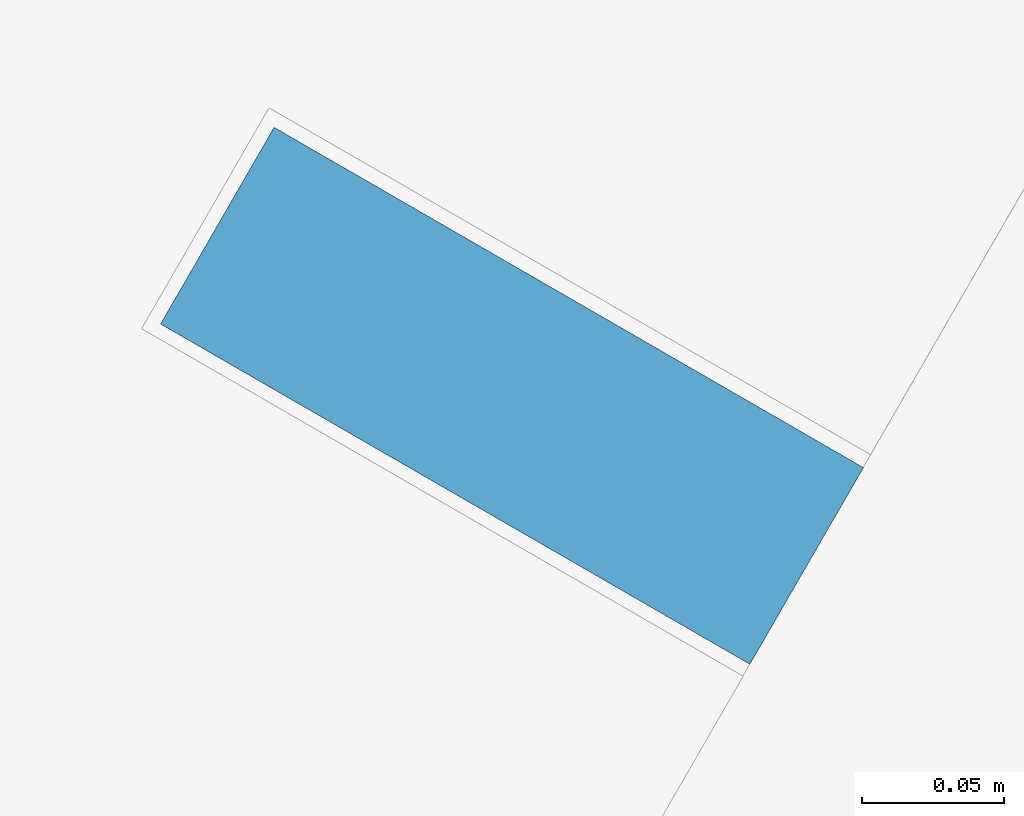
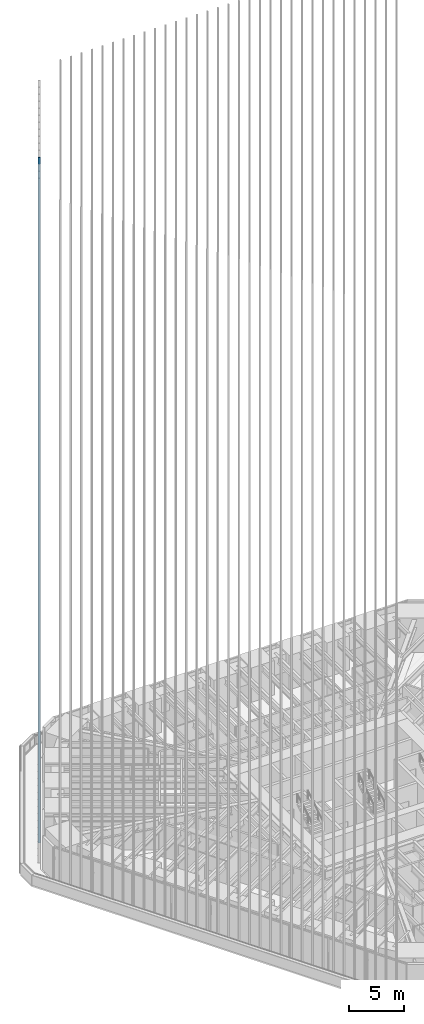
# One storey, part 129 of 238: 1 member, 1 element without a shape of its own.
"""IFC4 building model written with IfcOpenShell, lengths in metres."""

from ifc_helpers import new_model, si_unit, direction, frame, origin, origin_2d, place, context, subcontext, project, spatial, rectangle, extrude, material, material_profile, profile_set, type_object, element, aggregate, save


model = new_model("IFC4")

# Units and contexts
model_context = context("Model", 3, precision=1e-05, world=origin(), true_north=direction((0.0, 1.0)))
body_context = subcontext(model_context, "Body", "Model", "MODEL_VIEW")
ifc_project = project(units=[si_unit("LENGTHUNIT", "METRE"), si_unit("AREAUNIT", "SQUARE_METRE"), si_unit("VOLUMEUNIT", "CUBIC_METRE"), si_unit("PLANEANGLEUNIT", "RADIAN"), si_unit("MASSUNIT", "GRAM", prefix="KILO")], contexts=[model_context])

# Site, building, storey
site_placement = place(None, origin())
site = spatial("IfcSite", under=ifc_project, at=site_placement, CompositionType="ELEMENT")
building_placement = place(site_placement, origin())
building = spatial("IfcBuilding", under=site, at=building_placement, Name="Sandreach Pilgrim Tower", CompositionType="ELEMENT")
storey_placement = place(building_placement, frame((0.0, 0.0, 96.800048828125)))
storey = spatial("IfcBuildingStorey", under=building, at=storey_placement, Name="L23", CompositionType="ELEMENT", Elevation=96.800048828125)

# Curtain wall, member
ifc_material_1 = material(Name="Aluminium framed curtain wall", Category="aluminium")
curtain_wall_type = type_object("IfcCurtainWallType", Name="Hotel tower curtain wall", PredefinedType="NOTDEFINED", material=ifc_material_1)
curtain_wall_placement = place(storey_placement, origin())
curtain_wall = element("IfcCurtainWall", 1, at=curtain_wall_placement, inside=storey, type_object=curtain_wall_type, Name="CW-2 L23 NW", PredefinedType="NOTDEFINED")
ifc_material_2 = material(Name="Extruded terracotta on aluminium core", Category="masonry")
ifc_material_profile = material_profile(ifc_material_2, rectangle(XDim=0.080078125, YDim=0.239990234375, at=origin_2d()), Name="TBW 80X240")
ifc_profile_set = profile_set([ifc_material_profile], Name="Extruded terracotta on aluminium core")
member_type = type_object("IfcMemberType", Name="Terracotta baguette west", PredefinedType="USERDEFINED", material=ifc_profile_set)
member_placement = place(storey_placement, frame((-26.992431640625, 10.47216796875, 0.0), z_axis=(0.0, 0.0, 1.0), x_axis=(0.5, 0.866025403784, 0.0)))
member = element("IfcMember", 2, at=member_placement, type_object=member_type, Name="Baguette Z2 NW04", ObjectType="BAGUETTE", PredefinedType="USERDEFINED", context=body_context, shape_type="SweptSolid", body=[
    extrude(rectangle(XDim=0.080078125, YDim=0.239990234375, at=origin_2d()), origin(), (0.0, 0.0, 1.0), 75.83984375),
])
aggregate(curtain_wall, [member])

save(model, "model.ifc")
